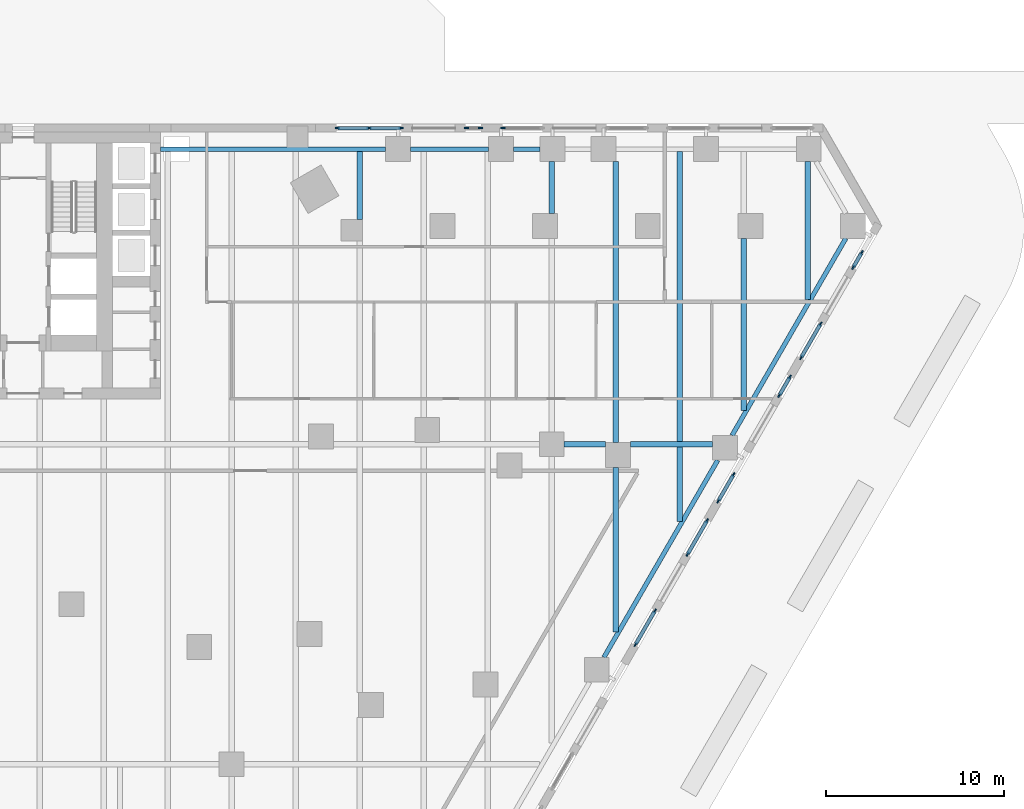
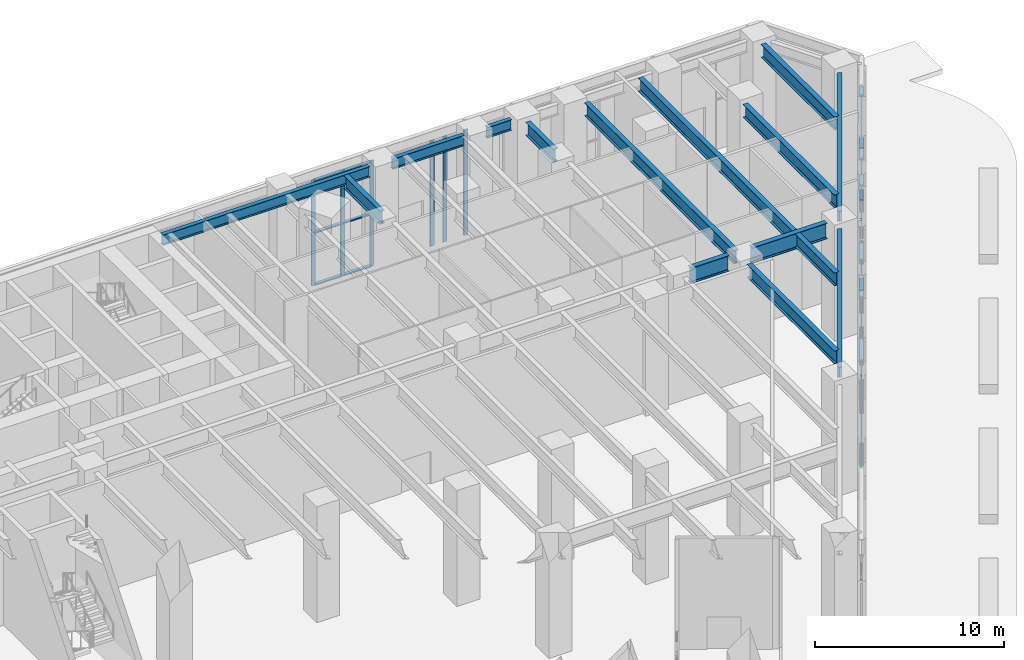
# One storey, part 15 of 37: 42 members, 15 beams, 9 elements without a shape of their own.
"""IFC4 building model written with IfcOpenShell, lengths in metres."""

import ifcopenshell
import ifcopenshell.guid

model = None  # the IFC model being written
_history = None  # IfcOwnerHistory: only IFC2X3 demands one
_inside = {}  # id of a spatial element -> (the spatial element, [elements in it])
_under = {}  # id of a project, library or spatial element -> (it, [spatial elements below it])
_declared = {}  # id of a project -> (the project, [libraries it declares])
_typed = {}  # id of a type object -> (the type object, [elements of that type])
_made_of = {}  # id of a material, layer set ... -> (it, [elements and type objects made of it])


def new_model(schema):
    """Start an empty IFC model of exactly this schema.

    Asked for "IFC4X3", IfcOpenShell would pick the latest addendum, in which some entities
    have other attributes; the version numbers below select the first issue.
    IFC2X3 requires an IfcOwnerHistory on every rooted entity: one is made here for all.
    """
    global model, _history
    if schema == "IFC4X3":
        model = ifcopenshell.file(schema_version=(4, 3, 0, 0))
    else:
        model = ifcopenshell.file(schema=schema)
    _inside.clear()
    _under.clear()
    _declared.clear()
    _typed.clear()
    _made_of.clear()
    _history = None
    if model.schema == "IFC2X3":
        org = make("IfcOrganization", Name="unknown")
        user = make(
            "IfcPersonAndOrganization",
            ThePerson=make("IfcPerson", FamilyName="unknown"),
            TheOrganization=org,
        )
        app = make(
            "IfcApplication",
            ApplicationDeveloper=org,
            Version="unknown",
            ApplicationFullName="unknown",
            ApplicationIdentifier="unknown",
        )
        _history = make(
            "IfcOwnerHistory",
            OwningUser=user,
            OwningApplication=app,
            ChangeAction="ADDED",
            CreationDate=0,
        )
    return model


def make(cls, **values):
    """One entity of the class cls with the attributes given. An attribute that is None is left unset."""
    return model.create_entity(
        cls, **{name: value for name, value in values.items() if value is not None}
    )


def rooted(cls, **values):
    """An entity with a GlobalId (a new one), such as an element, a storey or a relation."""
    return make(cls, GlobalId=ifcopenshell.guid.new(), OwnerHistory=_history, **values)


def si_unit(unit_type, name, prefix=None):
    """IfcSIUnit, for example si_unit("LENGTHUNIT", "METRE", prefix="MILLI")."""
    return make("IfcSIUnit", UnitType=unit_type, Prefix=prefix, Name=name)


def assignment(units):
    """IfcUnitAssignment: the units of a project."""
    return None if units is None else make("IfcUnitAssignment", Units=units)


def point(xyz):
    """IfcCartesianPoint."""
    return None if xyz is None else make("IfcCartesianPoint", Coordinates=xyz)


def direction(xyz):
    """IfcDirection."""
    return None if xyz is None else make("IfcDirection", DirectionRatios=xyz)


def frame(location, z_axis=None, x_axis=None):
    """IfcAxis2Placement3D, a coordinate frame: its origin and axes. An axis left out is left unset."""
    return make(
        "IfcAxis2Placement3D",
        Location=point(location),
        Axis=direction(z_axis),
        RefDirection=direction(x_axis),
    )


def frame_2d(location, x_axis=None):
    """IfcAxis2Placement2D, a coordinate frame in the plane: its origin and x axis."""
    return make(
        "IfcAxis2Placement2D", Location=point(location), RefDirection=direction(x_axis)
    )


def origin():
    """The frame at (0, 0, 0) with its axes left unset."""
    return frame((0.0, 0.0, 0.0))


def origin_2d():
    """The frame at (0, 0) in the plane with its x axis left unset."""
    return frame_2d((0.0, 0.0))


def place(relative_to, where):
    """IfcLocalPlacement: puts the frame where relative to a parent placement (None: the world)."""
    return make(
        "IfcLocalPlacement", PlacementRelTo=relative_to, RelativePlacement=where
    )


def context(
    kind, dimensions, precision=None, world=None, true_north=None, identifier=None
):
    """IfcGeometricRepresentationContext, for example the 3D "Model" context."""
    return make(
        "IfcGeometricRepresentationContext",
        ContextIdentifier=identifier,
        ContextType=kind,
        CoordinateSpaceDimension=dimensions,
        Precision=precision,
        WorldCoordinateSystem=world,
        TrueNorth=true_north,
    )


def subcontext(parent, identifier, kind, view, scale=None):
    """IfcGeometricRepresentationSubContext, for example "Body" below "Model"."""
    return make(
        "IfcGeometricRepresentationSubContext",
        ContextIdentifier=identifier,
        ContextType=kind,
        ParentContext=parent,
        TargetScale=scale,
        TargetView=view,
    )


def project(units=None, contexts=None):
    """IfcProject with its units and contexts."""
    return rooted(
        "IfcProject",
        Name="project",
        RepresentationContexts=contexts,
        UnitsInContext=assignment(units),
    )


def spatial(cls, under=None, at=None, **own):
    """A site, building, storey or space (cls), placed at a placement, below another one or the project."""
    s = rooted(cls, ObjectPlacement=at, **own)
    if under is not None:
        _under.setdefault(under.id(), (under, []))[1].append(s)
    return s


def profile(cls, at=None, kind="AREA", **sizes):
    """A parametric profile (cls). Its sizes go by their IFC names, for example OverallWidth=200.0."""
    return make(cls, ProfileType=kind, Position=at, **sizes)


def rectangle(**sizes):
    """IfcRectangleProfileDef."""
    return profile("IfcRectangleProfileDef", **sizes)


def i_section(**sizes):
    """IfcIShapeProfileDef."""
    return profile("IfcIShapeProfileDef", **sizes)


def extrude(swept, where, along, depth):
    """IfcExtrudedAreaSolid: the profile swept, set in the frame where, extruded along a direction by depth."""
    return make(
        "IfcExtrudedAreaSolid",
        SweptArea=swept,
        Position=where,
        ExtrudedDirection=direction(along),
        Depth=depth,
    )


def shape(context_of_items, identifier, shape_type, items):
    """IfcShapeRepresentation: the items that make up one representation, for example the "Body"."""
    return make(
        "IfcShapeRepresentation",
        ContextOfItems=context_of_items,
        RepresentationIdentifier=identifier,
        RepresentationType=shape_type,
        Items=items,
    )


def material(Name=None, Category=None):
    """IfcMaterial."""
    return make("IfcMaterial", Name=Name, Category=Category)


def material_profile(
    of_material, cross_section, Name=None, Category=None, Priority=None
):
    """IfcMaterialProfile: a cross section and its material."""
    return make(
        "IfcMaterialProfile",
        Name=Name,
        Material=of_material,
        Profile=cross_section,
        Priority=Priority,
        Category=Category,
    )


def profile_set(profiles, Name=None, composite=None):
    """IfcMaterialProfileSet."""
    return make(
        "IfcMaterialProfileSet",
        Name=Name,
        MaterialProfiles=profiles,
        CompositeProfile=composite,
    )


def made_of(thing, what):
    """Note that an element or type object is made of a material, layer set ...; save() writes the relation."""
    if what is not None:
        _made_of.setdefault(what.id(), (what, []))[1].append(thing)
    return thing


def type_object(cls, material=None, **own):
    """A type object (cls), such as IfcWallType, which elements share."""
    return made_of(rooted(cls, **own), material)


def element(
    cls,
    number,
    at=None,
    inside=None,
    cuts=None,
    type_object=None,
    material=None,
    context=None,
    identifier="Body",
    shape_type=None,
    held_by="IfcProductDefinitionShape",
    body=None,
    shapes=None,
    **own,
):
    """One element of the class cls, such as IfcWall. Its Tag is "e" and its number.

    at: its placement. inside: the storey or other place that contains it. cuts: it is an
    opening in that element (IfcRelVoidsElement). A single representation is given by context,
    identifier, shape_type and body (its items); several are given by shapes. held_by: the class
    of the entity that holds the representations. save() writes the other relations.
    """
    e = rooted(cls, Tag="e%d" % number, ObjectPlacement=at, **own)
    if body is not None:
        shapes = [shape(context, identifier, shape_type, body)]
    if shapes is not None:
        e.Representation = make(held_by, Representations=shapes)
    if inside is not None:
        _inside.setdefault(inside.id(), (inside, []))[1].append(e)
    if cuts is not None:
        rooted(
            "IfcRelVoidsElement", RelatingBuildingElement=cuts, RelatedOpeningElement=e
        )
    if type_object is not None:
        _typed.setdefault(type_object.id(), (type_object, []))[1].append(e)
    return made_of(e, material)


def aggregate(whole, parts):
    """IfcRelAggregates: a whole, such as a stair, and the parts it consists of."""
    return rooted("IfcRelAggregates", RelatingObject=whole, RelatedObjects=parts)


def save(model, path):
    """Write the relations noted so far, then the file.

    IfcRelAggregates (storeys below a building ...), IfcRelContainedInSpatialStructure (elements
    in a storey), IfcRelDefinesByType, IfcRelAssociatesMaterial and IfcRelDeclares: one each for
    every whole, place, type object, material and project.
    """
    for whole, parts in _under.values():
        aggregate(whole, parts)
    for where, things in _inside.values():
        rooted(
            "IfcRelContainedInSpatialStructure",
            RelatedElements=things,
            RelatingStructure=where,
        )
    for kind, things in _typed.values():
        rooted("IfcRelDefinesByType", RelatedObjects=things, RelatingType=kind)
    for what, things in _made_of.values():
        rooted("IfcRelAssociatesMaterial", RelatedObjects=things, RelatingMaterial=what)
    for by, libraries in _declared.values():
        rooted("IfcRelDeclares", RelatingContext=by, RelatedDefinitions=libraries)
    model.write(path)


model = new_model("IFC4")

# Units and contexts
model_context = context("Model", 3, precision=1e-05, world=origin(), true_north=direction((0.0, 1.0)))
body_context = subcontext(model_context, "Body", "Model", "MODEL_VIEW")
ifc_project = project(units=[si_unit("LENGTHUNIT", "METRE"), si_unit("AREAUNIT", "SQUARE_METRE"), si_unit("VOLUMEUNIT", "CUBIC_METRE"), si_unit("PLANEANGLEUNIT", "RADIAN"), si_unit("MASSUNIT", "GRAM", prefix="KILO")], contexts=[model_context])

# Site, building, storey
site_placement = place(None, origin())
site = spatial("IfcSite", under=ifc_project, at=site_placement, CompositionType="ELEMENT")
building_placement = place(site_placement, origin())
building = spatial("IfcBuilding", under=site, at=building_placement, Name="Aloe Facet Convention Tower", CompositionType="ELEMENT")
storey_placement = place(building_placement, origin())
storey = spatial("IfcBuildingStorey", under=building, at=storey_placement, Name="L00", CompositionType="ELEMENT", Elevation=0.0)

# Curtain wall, member
ifc_material_1 = material(Name="Aluminium, anodised", Category="aluminium")
curtain_wall_type = type_object("IfcCurtainWallType", Name="EV-CW-PORTAL", PredefinedType="USERDEFINED", material=ifc_material_1)
curtain_wall_1_placement = place(storey_placement, origin())
curtain_wall_1 = element("IfcCurtainWall", 1, at=curtain_wall_1_placement, inside=storey, type_object=curtain_wall_type, Name="CW-L00-N04B", ObjectType="ENTRANCE PORTAL GLAZING", PredefinedType="USERDEFINED")
ifc_material_2 = material(Name="Aluminium, anodised", Category="aluminium")
ifc_material_profile_1 = material_profile(ifc_material_2, rectangle(XDim=0.080078125, YDim=0.25, at=origin_2d()), Name="AL 80x250")
ifc_profile_set_1 = profile_set([ifc_material_profile_1], Name="Aluminium, anodised")
member_type_1 = type_object("IfcMemberType", Name="EV-MULL-PORTAL", PredefinedType="MULLION", material=ifc_profile_set_1)
member_1_placement = place(storey_placement, frame((113.264892578125, 134.77490234375, -0.300048828125), z_axis=(0.0, 0.0, 1.0), x_axis=(0.0, -1.0, 0.0)))
member_1 = element("IfcMember", 2, at=member_1_placement, type_object=member_type_1, Name="CW-L00-N04B mullion 2", PredefinedType="MULLION", context=body_context, shape_type="SweptSolid", body=[
    extrude(rectangle(XDim=0.080078125, YDim=0.25, at=origin_2d()), origin(), (0.0, 0.0, 1.0), 6.8125),
])
aggregate(curtain_wall_1, [member_1])

# Curtain wall, members
curtain_wall_2_placement = place(storey_placement, origin())
curtain_wall_2 = element("IfcCurtainWall", 3, at=curtain_wall_2_placement, inside=storey, type_object=curtain_wall_type, Name="CW-L00-N06A", ObjectType="ENTRANCE PORTAL GLAZING", PredefinedType="USERDEFINED")
member_2_placement = place(storey_placement, frame((111.98486328125, 134.77490234375, -0.300048828125), z_axis=(0.0, 0.0, 1.0), x_axis=(0.0, -1.0, 0.0)))
member_2 = element("IfcMember", 4, at=member_2_placement, type_object=member_type_1, Name="CW-L00-N06A mullion 1", PredefinedType="MULLION", context=body_context, shape_type="SweptSolid", body=[
    extrude(rectangle(XDim=0.080078125, YDim=0.25, at=origin_2d()), origin(), (0.0, 0.0, 1.0), 6.8125),
])
member_3_placement = place(storey_placement, frame((111.2041015625, 134.77490234375, -0.300048828125), z_axis=(0.0, 0.0, 1.0), x_axis=(0.0, -1.0, 0.0)))
member_3 = element("IfcMember", 5, at=member_3_placement, type_object=member_type_1, Name="CW-L00-N06A mullion 2", PredefinedType="MULLION", context=body_context, shape_type="SweptSolid", body=[
    extrude(rectangle(XDim=0.080078125, YDim=0.25, at=origin_2d()), origin(), (0.0, 0.0, 1.0), 6.8125),
])
aggregate(curtain_wall_2, [member_2, member_3])

curtain_wall_3_placement = place(storey_placement, origin())
curtain_wall_3 = element("IfcCurtainWall", 6, at=curtain_wall_3_placement, inside=storey, type_object=curtain_wall_type, Name="CW-L00-N06B", ObjectType="ENTRANCE PORTAL GLAZING", PredefinedType="USERDEFINED")
member_4_placement = place(storey_placement, frame((107.524169921875, 134.77490234375, -0.300048828125), z_axis=(0.0, 0.0, 1.0), x_axis=(0.0, -1.0, 0.0)))
member_4 = element("IfcMember", 7, at=member_4_placement, type_object=member_type_1, Name="CW-L00-N06B mullion 1", PredefinedType="MULLION", context=body_context, shape_type="SweptSolid", body=[
    extrude(rectangle(XDim=0.080078125, YDim=0.25, at=origin_2d()), origin(), (0.0, 0.0, 1.0), 6.8125),
])
member_5_placement = place(storey_placement, frame((105.733642578125, 134.77490234375, -0.300048828125), z_axis=(0.0, 0.0, 1.0), x_axis=(0.0, -1.0, 0.0)))
member_5 = element("IfcMember", 8, at=member_5_placement, type_object=member_type_1, Name="CW-L00-N06B mullion 2", PredefinedType="MULLION", context=body_context, shape_type="SweptSolid", body=[
    extrude(rectangle(XDim=0.080078125, YDim=0.25, at=origin_2d()), origin(), (0.0, 0.0, 1.0), 6.8125),
])
member_6_placement = place(storey_placement, frame((103.943359375, 134.77490234375, -0.300048828125), z_axis=(0.0, 0.0, 1.0), x_axis=(0.0, -1.0, 0.0)))
member_6 = element("IfcMember", 9, at=member_6_placement, type_object=member_type_1, Name="CW-L00-N06B mullion 3", PredefinedType="MULLION", context=body_context, shape_type="SweptSolid", body=[
    extrude(rectangle(XDim=0.080078125, YDim=0.25, at=origin_2d()), origin(), (0.0, 0.0, 1.0), 6.8125),
])

curtain_wall_4_placement = place(storey_placement, origin())
curtain_wall_4 = element("IfcCurtainWall", 10, at=curtain_wall_4_placement, inside=storey, type_object=curtain_wall_type, Name="CW-L00-E18A", ObjectType="ENTRANCE PORTAL GLAZING", PredefinedType="USERDEFINED")
member_7_placement = place(storey_placement, frame((120.710693359375, 105.7333984375, -0.300048828125), z_axis=(0.0, 0.0, 1.0), x_axis=(-0.86602540375, 0.50000000006, 0.0)))
member_7 = element("IfcMember", 11, at=member_7_placement, type_object=member_type_1, Name="CW-L00-E18A mullion 1", PredefinedType="MULLION", context=body_context, shape_type="SweptSolid", body=[
    extrude(rectangle(XDim=0.080078125, YDim=0.25, at=origin_2d()), origin(), (0.0, 0.0, 1.0), 6.8125),
])
member_8_placement = place(storey_placement, frame((121.801025390625, 107.621826171875, -0.300048828125), z_axis=(0.0, 0.0, 1.0), x_axis=(-0.86602540375, 0.50000000006, 0.0)))
member_8 = element("IfcMember", 12, at=member_8_placement, type_object=member_type_1, Name="CW-L00-E18A mullion 2", PredefinedType="MULLION", context=body_context, shape_type="SweptSolid", body=[
    extrude(rectangle(XDim=0.080078125, YDim=0.25, at=origin_2d()), origin(), (0.0, 0.0, 1.0), 6.8125),
])

curtain_wall_5_placement = place(storey_placement, origin())
curtain_wall_5 = element("IfcCurtainWall", 13, at=curtain_wall_5_placement, inside=storey, type_object=curtain_wall_type, Name="CW-L00-E18B", ObjectType="ENTRANCE PORTAL GLAZING", PredefinedType="USERDEFINED")
member_9_placement = place(storey_placement, frame((123.640869140625, 110.808837890625, -0.300048828125), z_axis=(0.0, 0.0, 1.0), x_axis=(-0.86602540375, 0.50000000006, 0.0)))
member_9 = element("IfcMember", 14, at=member_9_placement, type_object=member_type_1, Name="CW-L00-E18B mullion 1", PredefinedType="MULLION", context=body_context, shape_type="SweptSolid", body=[
    extrude(rectangle(XDim=0.080078125, YDim=0.25, at=origin_2d()), origin(), (0.0, 0.0, 1.0), 6.8125),
])
member_10_placement = place(storey_placement, frame((124.731201171875, 112.697509765625, -0.300048828125), z_axis=(0.0, 0.0, 1.0), x_axis=(-0.86602540375, 0.50000000006, 0.0)))
member_10 = element("IfcMember", 15, at=member_10_placement, type_object=member_type_1, Name="CW-L00-E18B mullion 2", PredefinedType="MULLION", context=body_context, shape_type="SweptSolid", body=[
    extrude(rectangle(XDim=0.080078125, YDim=0.25, at=origin_2d()), origin(), (0.0, 0.0, 1.0), 6.8125),
])

curtain_wall_6_placement = place(storey_placement, origin())
curtain_wall_6 = element("IfcCurtainWall", 16, at=curtain_wall_6_placement, inside=storey, type_object=curtain_wall_type, Name="CW-L00-E20A", ObjectType="ENTRANCE PORTAL GLAZING", PredefinedType="USERDEFINED")
member_11_placement = place(storey_placement, frame((125.371337890625, 113.805908203125, -0.300048828125), z_axis=(0.0, 0.0, 1.0), x_axis=(-0.866025403811, 0.499999999955, 0.0)))
member_11 = element("IfcMember", 17, at=member_11_placement, type_object=member_type_1, Name="CW-L00-E20A mullion 1", PredefinedType="MULLION", context=body_context, shape_type="SweptSolid", body=[
    extrude(rectangle(XDim=0.080078125, YDim=0.25, at=origin_2d()), origin(), (0.0, 0.0, 1.0), 6.8125),
])
member_12_placement = place(storey_placement, frame((126.227783203125, 115.289306640625, -0.300048828125), z_axis=(0.0, 0.0, 1.0), x_axis=(-0.866025403811, 0.499999999955, 0.0)))
member_12 = element("IfcMember", 18, at=member_12_placement, type_object=member_type_1, Name="CW-L00-E20A mullion 2", PredefinedType="MULLION", context=body_context, shape_type="SweptSolid", body=[
    extrude(rectangle(XDim=0.080078125, YDim=0.25, at=origin_2d()), origin(), (0.0, 0.0, 1.0), 6.8125),
])

curtain_wall_7_placement = place(storey_placement, origin())
curtain_wall_7 = element("IfcCurtainWall", 19, at=curtain_wall_7_placement, inside=storey, type_object=curtain_wall_type, Name="CW-L00-E20B", ObjectType="ENTRANCE PORTAL GLAZING", PredefinedType="USERDEFINED")
member_13_placement = place(storey_placement, frame((128.801513671875, 119.747314453125, -0.300048828125), z_axis=(0.0, 0.0, 1.0), x_axis=(-0.866025403688, 0.500000000166, 0.0)))
member_13 = element("IfcMember", 20, at=member_13_placement, type_object=member_type_1, Name="CW-L00-E20B mullion 1", PredefinedType="MULLION", context=body_context, shape_type="SweptSolid", body=[
    extrude(rectangle(XDim=0.080078125, YDim=0.25, at=origin_2d()), origin(), (0.0, 0.0, 1.0), 6.8125),
])
member_14_placement = place(storey_placement, frame((129.39208984375, 120.77001953125, -0.300048828125), z_axis=(0.0, 0.0, 1.0), x_axis=(-0.866025403688, 0.500000000166, 0.0)))
member_14 = element("IfcMember", 21, at=member_14_placement, type_object=member_type_1, Name="CW-L00-E20B mullion 2", PredefinedType="MULLION", context=body_context, shape_type="SweptSolid", body=[
    extrude(rectangle(XDim=0.080078125, YDim=0.25, at=origin_2d()), origin(), (0.0, 0.0, 1.0), 6.8125),
])

curtain_wall_8_placement = place(storey_placement, origin())
curtain_wall_8 = element("IfcCurtainWall", 22, at=curtain_wall_8_placement, inside=storey, type_object=curtain_wall_type, Name="CW-L00-E22A", ObjectType="ENTRANCE PORTAL GLAZING", PredefinedType="USERDEFINED")
member_15_placement = place(storey_placement, frame((130.031982421875, 121.87841796875, -0.300048828125), z_axis=(0.0, 0.0, 1.0), x_axis=(-0.86602540375, 0.50000000006, 0.0)))
member_15 = element("IfcMember", 23, at=member_15_placement, type_object=member_type_1, Name="CW-L00-E22A mullion 1", PredefinedType="MULLION", context=body_context, shape_type="SweptSolid", body=[
    extrude(rectangle(XDim=0.080078125, YDim=0.25, at=origin_2d()), origin(), (0.0, 0.0, 1.0), 6.8125),
])
member_16_placement = place(storey_placement, frame((131.122314453125, 123.76708984375, -0.300048828125), z_axis=(0.0, 0.0, 1.0), x_axis=(-0.86602540375, 0.50000000006, 0.0)))
member_16 = element("IfcMember", 24, at=member_16_placement, type_object=member_type_1, Name="CW-L00-E22A mullion 2", PredefinedType="MULLION", context=body_context, shape_type="SweptSolid", body=[
    extrude(rectangle(XDim=0.080078125, YDim=0.25, at=origin_2d()), origin(), (0.0, 0.0, 1.0), 6.8125),
])

curtain_wall_9_placement = place(storey_placement, origin())
curtain_wall_9 = element("IfcCurtainWall", 25, at=curtain_wall_9_placement, inside=storey, type_object=curtain_wall_type, Name="CW-L00-E22B", ObjectType="ENTRANCE PORTAL GLAZING", PredefinedType="USERDEFINED")
member_17_placement = place(storey_placement, frame((132.96240234375, 126.953857421875, -0.300048828125), z_axis=(0.0, 0.0, 1.0), x_axis=(-0.866025404046, 0.499999999547, 0.0)))
member_17 = element("IfcMember", 26, at=member_17_placement, type_object=member_type_1, Name="CW-L00-E22B mullion 1", PredefinedType="MULLION", context=body_context, shape_type="SweptSolid", body=[
    extrude(rectangle(XDim=0.080078125, YDim=0.25, at=origin_2d()), origin(), (0.0, 0.0, 1.0), 6.8125),
])
member_18_placement = place(storey_placement, frame((133.436279296875, 127.774658203125, -0.300048828125), z_axis=(0.0, 0.0, 1.0), x_axis=(-0.866025404046, 0.499999999547, 0.0)))
member_18 = element("IfcMember", 27, at=member_18_placement, type_object=member_type_1, Name="CW-L00-E22B mullion 2", PredefinedType="MULLION", context=body_context, shape_type="SweptSolid", body=[
    extrude(rectangle(XDim=0.080078125, YDim=0.25, at=origin_2d()), origin(), (0.0, 0.0, 1.0), 6.8125),
])

# Member
ifc_material_3 = material(Name="Aluminium, anodised", Category="aluminium")
ifc_material_profile_2 = material_profile(ifc_material_3, rectangle(XDim=0.199951171875, YDim=0.080078125, at=origin_2d()), Name="AL 200x80")
ifc_profile_set_2 = profile_set([ifc_material_profile_2], Name="Aluminium, anodised")
member_type_2 = type_object("IfcMemberType", Name="EV-TRAN-PORTAL", PredefinedType="USERDEFINED", material=ifc_profile_set_2)
member_19_placement = place(storey_placement, frame((107.484130859375, 134.77490234375, -0.260009765625), z_axis=(-1.0, 0.0, 0.0), x_axis=(0.0, -1.0, 0.0)))
member_19 = element("IfcMember", 28, at=member_19_placement, type_object=member_type_2, Name="CW-L00-N06B transom 1.1", ObjectType="TRANSOM", PredefinedType="USERDEFINED", context=body_context, shape_type="SweptSolid", body=[
    extrude(rectangle(XDim=0.199951171875, YDim=0.080078125, at=origin_2d()), origin(), (0.0, 0.0, 1.0), 1.71044921875),
])

member_20_placement = place(storey_placement, frame((107.484130859375, 134.77490234375, 3.106201171875), z_axis=(-1.0, 0.0, 0.0), x_axis=(0.0, -1.0, 0.0)))
member_20 = element("IfcMember", 29, at=member_20_placement, type_object=member_type_2, Name="CW-L00-N06B transom 1.2", ObjectType="TRANSOM", PredefinedType="USERDEFINED", context=body_context, shape_type="SweptSolid", body=[
    extrude(rectangle(XDim=0.199951171875, YDim=0.080078125, at=origin_2d()), origin(), (0.0, 0.0, 1.0), 1.71044921875),
])

member_21_placement = place(storey_placement, frame((107.484130859375, 134.77490234375, 6.472412109375), z_axis=(-1.0, 0.0, 0.0), x_axis=(0.0, -1.0, 0.0)))
member_21 = element("IfcMember", 30, at=member_21_placement, type_object=member_type_2, Name="CW-L00-N06B transom 1.3", ObjectType="TRANSOM", PredefinedType="USERDEFINED", context=body_context, shape_type="SweptSolid", body=[
    extrude(rectangle(XDim=0.199951171875, YDim=0.080078125, at=origin_2d()), origin(), (0.0, 0.0, 1.0), 1.71044921875),
])

member_22_placement = place(storey_placement, frame((105.69384765625, 134.77490234375, -0.260009765625), z_axis=(-1.0, 0.0, 0.0), x_axis=(0.0, -1.0, 0.0)))
member_22 = element("IfcMember", 31, at=member_22_placement, type_object=member_type_2, Name="CW-L00-N06B transom 2.1", ObjectType="TRANSOM", PredefinedType="USERDEFINED", context=body_context, shape_type="SweptSolid", body=[
    extrude(rectangle(XDim=0.199951171875, YDim=0.080078125, at=origin_2d()), origin(), (0.0, 0.0, 1.0), 1.71044921875),
])

member_23_placement = place(storey_placement, frame((105.69384765625, 134.77490234375, 3.106201171875), z_axis=(-1.0, 0.0, 0.0), x_axis=(0.0, -1.0, 0.0)))
member_23 = element("IfcMember", 32, at=member_23_placement, type_object=member_type_2, Name="CW-L00-N06B transom 2.2", ObjectType="TRANSOM", PredefinedType="USERDEFINED", context=body_context, shape_type="SweptSolid", body=[
    extrude(rectangle(XDim=0.199951171875, YDim=0.080078125, at=origin_2d()), origin(), (0.0, 0.0, 1.0), 1.71044921875),
])

member_24_placement = place(storey_placement, frame((105.69384765625, 134.77490234375, 6.472412109375), z_axis=(-1.0, 0.0, 0.0), x_axis=(0.0, -1.0, 0.0)))
member_24 = element("IfcMember", 33, at=member_24_placement, type_object=member_type_2, Name="CW-L00-N06B transom 2.3", ObjectType="TRANSOM", PredefinedType="USERDEFINED", context=body_context, shape_type="SweptSolid", body=[
    extrude(rectangle(XDim=0.199951171875, YDim=0.080078125, at=origin_2d()), origin(), (0.0, 0.0, 1.0), 1.71044921875),
])

aggregate(curtain_wall_3, [member_4, member_5, member_6, member_19, member_20, member_21, member_22, member_23, member_24])

member_25_placement = place(storey_placement, frame((120.730712890625, 105.76806640625, -0.260009765625), z_axis=(0.50001422142, 0.866017192888, 0.0), x_axis=(-0.866017192888, 0.50001422142, 0.0)))
member_25 = element("IfcMember", 34, at=member_25_placement, type_object=member_type_2, Name="CW-L00-E18A transom 1.1", ObjectType="TRANSOM", PredefinedType="USERDEFINED", context=body_context, shape_type="SweptSolid", body=[
    extrude(rectangle(XDim=0.199951171875, YDim=0.080078125, at=origin_2d()), origin(), (0.0, 0.0, 1.0), 2.1005859375),
])

member_26_placement = place(storey_placement, frame((120.730712890625, 105.76806640625, 3.106201171875), z_axis=(0.50001422142, 0.866017192888, 0.0), x_axis=(-0.866017192888, 0.50001422142, 0.0)))
member_26 = element("IfcMember", 35, at=member_26_placement, type_object=member_type_2, Name="CW-L00-E18A transom 1.2", ObjectType="TRANSOM", PredefinedType="USERDEFINED", context=body_context, shape_type="SweptSolid", body=[
    extrude(rectangle(XDim=0.199951171875, YDim=0.080078125, at=origin_2d()), origin(), (0.0, 0.0, 1.0), 2.1005859375),
])

member_27_placement = place(storey_placement, frame((120.730712890625, 105.76806640625, 6.472412109375), z_axis=(0.50001422142, 0.866017192888, 0.0), x_axis=(-0.866017192888, 0.50001422142, 0.0)))
member_27 = element("IfcMember", 36, at=member_27_placement, type_object=member_type_2, Name="CW-L00-E18A transom 1.3", ObjectType="TRANSOM", PredefinedType="USERDEFINED", context=body_context, shape_type="SweptSolid", body=[
    extrude(rectangle(XDim=0.199951171875, YDim=0.080078125, at=origin_2d()), origin(), (0.0, 0.0, 1.0), 2.1005859375),
])

aggregate(curtain_wall_4, [member_7, member_8, member_25, member_26, member_27])

member_28_placement = place(storey_placement, frame((123.660888671875, 110.843505859375, -0.260009765625), z_axis=(0.49996389635, 0.866046247233, 0.0), x_axis=(-0.866046247233, 0.49996389635, 0.0)))
member_28 = element("IfcMember", 37, at=member_28_placement, type_object=member_type_2, Name="CW-L00-E18B transom 1.1", ObjectType="TRANSOM", PredefinedType="USERDEFINED", context=body_context, shape_type="SweptSolid", body=[
    extrude(rectangle(XDim=0.199951171875, YDim=0.080078125, at=origin_2d()), origin(), (0.0, 0.0, 1.0), 2.100830078125),
])

member_29_placement = place(storey_placement, frame((123.660888671875, 110.843505859375, 3.106201171875), z_axis=(0.49996389635, 0.866046247233, 0.0), x_axis=(-0.866046247233, 0.49996389635, 0.0)))
member_29 = element("IfcMember", 38, at=member_29_placement, type_object=member_type_2, Name="CW-L00-E18B transom 1.2", ObjectType="TRANSOM", PredefinedType="USERDEFINED", context=body_context, shape_type="SweptSolid", body=[
    extrude(rectangle(XDim=0.199951171875, YDim=0.080078125, at=origin_2d()), origin(), (0.0, 0.0, 1.0), 2.100830078125),
])

member_30_placement = place(storey_placement, frame((123.660888671875, 110.843505859375, 6.472412109375), z_axis=(0.49996389635, 0.866046247233, 0.0), x_axis=(-0.866046247233, 0.49996389635, 0.0)))
member_30 = element("IfcMember", 39, at=member_30_placement, type_object=member_type_2, Name="CW-L00-E18B transom 1.3", ObjectType="TRANSOM", PredefinedType="USERDEFINED", context=body_context, shape_type="SweptSolid", body=[
    extrude(rectangle(XDim=0.199951171875, YDim=0.080078125, at=origin_2d()), origin(), (0.0, 0.0, 1.0), 2.100830078125),
])

aggregate(curtain_wall_5, [member_9, member_10, member_28, member_29, member_30])

member_31_placement = place(storey_placement, frame((125.391357421875, 113.840576171875, -0.260009765625), z_axis=(0.499998569178, 0.866026229868, 0.0), x_axis=(-0.866026229868, 0.499998569178, 0.0)))
member_31 = element("IfcMember", 40, at=member_31_placement, type_object=member_type_2, Name="CW-L00-E20A transom 1.1", ObjectType="TRANSOM", PredefinedType="USERDEFINED", context=body_context, shape_type="SweptSolid", body=[
    extrude(rectangle(XDim=0.199951171875, YDim=0.080078125, at=origin_2d()), origin(), (0.0, 0.0, 1.0), 1.6328125),
])

member_32_placement = place(storey_placement, frame((125.391357421875, 113.840576171875, 3.106201171875), z_axis=(0.499998569178, 0.866026229868, 0.0), x_axis=(-0.866026229868, 0.499998569178, 0.0)))
member_32 = element("IfcMember", 41, at=member_32_placement, type_object=member_type_2, Name="CW-L00-E20A transom 1.2", ObjectType="TRANSOM", PredefinedType="USERDEFINED", context=body_context, shape_type="SweptSolid", body=[
    extrude(rectangle(XDim=0.199951171875, YDim=0.080078125, at=origin_2d()), origin(), (0.0, 0.0, 1.0), 1.6328125),
])

member_33_placement = place(storey_placement, frame((125.391357421875, 113.840576171875, 6.472412109375), z_axis=(0.499998569178, 0.866026229868, 0.0), x_axis=(-0.866026229868, 0.499998569178, 0.0)))
member_33 = element("IfcMember", 42, at=member_33_placement, type_object=member_type_2, Name="CW-L00-E20A transom 1.3", ObjectType="TRANSOM", PredefinedType="USERDEFINED", context=body_context, shape_type="SweptSolid", body=[
    extrude(rectangle(XDim=0.199951171875, YDim=0.080078125, at=origin_2d()), origin(), (0.0, 0.0, 1.0), 1.6328125),
])

aggregate(curtain_wall_6, [member_11, member_12, member_31, member_32, member_33])

member_34_placement = place(storey_placement, frame((128.821533203125, 119.781982421875, -0.260009765625), z_axis=(0.500074377092, 0.865982457891, 0.0), x_axis=(-0.865982457891, 0.500074377092, 0.0)))
member_34 = element("IfcMember", 43, at=member_34_placement, type_object=member_type_2, Name="CW-L00-E20B transom 1.1", ObjectType="TRANSOM", PredefinedType="USERDEFINED", context=body_context, shape_type="SweptSolid", body=[
    extrude(rectangle(XDim=0.199951171875, YDim=0.080078125, at=origin_2d()), origin(), (0.0, 0.0, 1.0), 1.100830078125),
])

member_35_placement = place(storey_placement, frame((128.821533203125, 119.781982421875, 3.106201171875), z_axis=(0.500074377092, 0.865982457891, 0.0), x_axis=(-0.865982457891, 0.500074377092, 0.0)))
member_35 = element("IfcMember", 44, at=member_35_placement, type_object=member_type_2, Name="CW-L00-E20B transom 1.2", ObjectType="TRANSOM", PredefinedType="USERDEFINED", context=body_context, shape_type="SweptSolid", body=[
    extrude(rectangle(XDim=0.199951171875, YDim=0.080078125, at=origin_2d()), origin(), (0.0, 0.0, 1.0), 1.100830078125),
])

member_36_placement = place(storey_placement, frame((128.821533203125, 119.781982421875, 6.472412109375), z_axis=(0.500074377092, 0.865982457891, 0.0), x_axis=(-0.865982457891, 0.500074377092, 0.0)))
member_36 = element("IfcMember", 45, at=member_36_placement, type_object=member_type_2, Name="CW-L00-E20B transom 1.3", ObjectType="TRANSOM", PredefinedType="USERDEFINED", context=body_context, shape_type="SweptSolid", body=[
    extrude(rectangle(XDim=0.199951171875, YDim=0.080078125, at=origin_2d()), origin(), (0.0, 0.0, 1.0), 1.100830078125),
])

aggregate(curtain_wall_7, [member_13, member_14, member_34, member_35, member_36])

member_37_placement = place(storey_placement, frame((130.052001953125, 121.9130859375, -0.260009765625), z_axis=(0.49996389635, 0.866046247233, 0.0), x_axis=(-0.866046247233, 0.49996389635, 0.0)))
member_37 = element("IfcMember", 46, at=member_37_placement, type_object=member_type_2, Name="CW-L00-E22A transom 1.1", ObjectType="TRANSOM", PredefinedType="USERDEFINED", context=body_context, shape_type="SweptSolid", body=[
    extrude(rectangle(XDim=0.199951171875, YDim=0.080078125, at=origin_2d()), origin(), (0.0, 0.0, 1.0), 2.100830078125),
])

member_38_placement = place(storey_placement, frame((130.052001953125, 121.9130859375, 3.106201171875), z_axis=(0.49996389635, 0.866046247233, 0.0), x_axis=(-0.866046247233, 0.49996389635, 0.0)))
member_38 = element("IfcMember", 47, at=member_38_placement, type_object=member_type_2, Name="CW-L00-E22A transom 1.2", ObjectType="TRANSOM", PredefinedType="USERDEFINED", context=body_context, shape_type="SweptSolid", body=[
    extrude(rectangle(XDim=0.199951171875, YDim=0.080078125, at=origin_2d()), origin(), (0.0, 0.0, 1.0), 2.100830078125),
])

member_39_placement = place(storey_placement, frame((130.052001953125, 121.9130859375, 6.472412109375), z_axis=(0.49996389635, 0.866046247233, 0.0), x_axis=(-0.866046247233, 0.49996389635, 0.0)))
member_39 = element("IfcMember", 48, at=member_39_placement, type_object=member_type_2, Name="CW-L00-E22A transom 1.3", ObjectType="TRANSOM", PredefinedType="USERDEFINED", context=body_context, shape_type="SweptSolid", body=[
    extrude(rectangle(XDim=0.199951171875, YDim=0.080078125, at=origin_2d()), origin(), (0.0, 0.0, 1.0), 2.100830078125),
])

aggregate(curtain_wall_8, [member_15, member_16, member_37, member_38, member_39])

member_40_placement = place(storey_placement, frame((132.982421875, 126.988525390625, -0.260009765625), z_axis=(0.499982246889, 0.866035653305, 0.0), x_axis=(-0.866035653305, 0.499982246889, 0.0)))
member_40 = element("IfcMember", 49, at=member_40_placement, type_object=member_type_2, Name="CW-L00-E22B transom 1.1", ObjectType="TRANSOM", PredefinedType="USERDEFINED", context=body_context, shape_type="SweptSolid", body=[
    extrude(rectangle(XDim=0.199951171875, YDim=0.080078125, at=origin_2d()), origin(), (0.0, 0.0, 1.0), 0.86767578125),
])

member_41_placement = place(storey_placement, frame((132.982421875, 126.988525390625, 3.106201171875), z_axis=(0.499982246889, 0.866035653305, 0.0), x_axis=(-0.866035653305, 0.499982246889, 0.0)))
member_41 = element("IfcMember", 50, at=member_41_placement, type_object=member_type_2, Name="CW-L00-E22B transom 1.2", ObjectType="TRANSOM", PredefinedType="USERDEFINED", context=body_context, shape_type="SweptSolid", body=[
    extrude(rectangle(XDim=0.199951171875, YDim=0.080078125, at=origin_2d()), origin(), (0.0, 0.0, 1.0), 0.86767578125),
])

member_42_placement = place(storey_placement, frame((132.982421875, 126.988525390625, 6.472412109375), z_axis=(0.499982246889, 0.866035653305, 0.0), x_axis=(-0.866035653305, 0.499982246889, 0.0)))
member_42 = element("IfcMember", 51, at=member_42_placement, type_object=member_type_2, Name="CW-L00-E22B transom 1.3", ObjectType="TRANSOM", PredefinedType="USERDEFINED", context=body_context, shape_type="SweptSolid", body=[
    extrude(rectangle(XDim=0.199951171875, YDim=0.080078125, at=origin_2d()), origin(), (0.0, 0.0, 1.0), 0.86767578125),
])

aggregate(curtain_wall_9, [member_17, member_18, member_40, member_41, member_42])

# Beams
ifc_material_4 = material(Name="Steel S355", Category="steel")
ifc_material_profile_3 = material_profile(ifc_material_4, i_section(OverallWidth=0.305419921875, OverallDepth=1.02587890625, WebThickness=0.02001953125, FlangeThickness=0.031005859375, FilletRadius=0.030029296875, at=origin_2d()), Name="UB 1016x305x349")
ifc_profile_set_3 = profile_set([ifc_material_profile_3], Name="Steel S355")
beam_type_1 = type_object("IfcBeamType", Name="SF-B-UB1016x305x349", PredefinedType="BEAM", material=ifc_profile_set_3)
beam_1_placement = place(storey_placement, frame((116.699951171875, 117.0, 6.68701171875), z_axis=(1.0, 0.0, 0.0), x_axis=(0.0, 1.0, 0.0)))
element("IfcBeam", 52, at=beam_1_placement, inside=storey, type_object=beam_type_1, Name="Floor beam FB-L01-050", PredefinedType="BEAM", context=body_context, shape_type="SweptSolid", body=[
    extrude(i_section(OverallWidth=0.305419921875, OverallDepth=1.02587890625, WebThickness=0.02001953125, FlangeThickness=0.031005859375, FilletRadius=0.030029296875, at=origin_2d()), origin(), (0.0, 0.0, 1.0), 2.330078125),
])
beam_2_placement = place(storey_placement, frame((120.429931640625, 117.0, 6.68701171875), z_axis=(1.0, 0.0, 0.0), x_axis=(0.0, 1.0, 0.0)))
element("IfcBeam", 53, at=beam_2_placement, inside=storey, type_object=beam_type_1, Name="Floor beam FB-L01-051", PredefinedType="BEAM", context=body_context, shape_type="SweptSolid", body=[
    extrude(i_section(OverallWidth=0.305419921875, OverallDepth=1.02587890625, WebThickness=0.02001953125, FlangeThickness=0.031005859375, FilletRadius=0.030029296875, at=origin_2d()), origin(), (0.0, 0.0, 1.0), 4.612060546875),
])
ifc_material_5 = material(Name="Steel S355", Category="steel")
ifc_material_profile_4 = material_profile(ifc_material_5, i_section(OverallWidth=0.25439453125, OverallDepth=0.6875, WebThickness=0.01318359375, FlangeThickness=0.02099609375, FilletRadius=0.01513671875, at=origin_2d()), Name="UB 686x254x152")
ifc_profile_set_4 = profile_set([ifc_material_profile_4], Name="Steel S355")
beam_type_2 = type_object("IfcBeamType", Name="SF-B-UB686x254x152", PredefinedType="BEAM", material=ifc_profile_set_4)
beam_3_placement = place(storey_placement, frame((94.0, 133.60009765625, 6.856201171875), z_axis=(1.0, 0.0, 0.0), x_axis=(0.0, 1.0, 0.0)))
element("IfcBeam", 54, at=beam_3_placement, inside=storey, type_object=beam_type_2, Name="Floor beam FB-L01-017", PredefinedType="BEAM", context=body_context, shape_type="SweptSolid", body=[
    extrude(i_section(OverallWidth=0.25439453125, OverallDepth=0.6875, WebThickness=0.01318359375, FlangeThickness=0.02099609375, FilletRadius=0.01513671875, at=origin_2d()), origin(), (0.0, 0.0, 1.0), 12.6650390625),
])
beam_4_placement = place(storey_placement, frame((108.06494140625, 133.60009765625, 6.856201171875), z_axis=(1.0, 0.0, 0.0), x_axis=(0.0, 1.0, 0.0)))
element("IfcBeam", 55, at=beam_4_placement, inside=storey, type_object=beam_type_2, Name="Floor beam FB-L01-020", PredefinedType="BEAM", context=body_context, shape_type="SweptSolid", body=[
    extrude(i_section(OverallWidth=0.25439453125, OverallDepth=0.6875, WebThickness=0.01318359375, FlangeThickness=0.02099609375, FilletRadius=0.01513671875, at=origin_2d()), origin(), (0.0, 0.0, 1.0), 4.3740234375),
])
beam_5_placement = place(storey_placement, frame((113.839111328125, 133.60009765625, 6.856201171875), z_axis=(1.0, 0.0, 0.0), x_axis=(0.0, 1.0, 0.0)))
element("IfcBeam", 56, at=beam_5_placement, inside=storey, type_object=beam_type_2, Name="Floor beam FB-L01-022", PredefinedType="BEAM", context=body_context, shape_type="SweptSolid", body=[
    extrude(i_section(OverallWidth=0.25439453125, OverallDepth=0.6875, WebThickness=0.01318359375, FlangeThickness=0.02099609375, FilletRadius=0.01513671875, at=origin_2d()), origin(), (0.0, 0.0, 1.0), 1.5029296875),
])
beam_6_placement = place(storey_placement, frame((125.33837890625, 116.09912109375, 6.856201171875), z_axis=(-0.499987149722, -0.866032822769, 0.0), x_axis=(0.866032822769, -0.499987149722, 0.0)))
element("IfcBeam", 57, at=beam_6_placement, inside=storey, type_object=beam_type_2, Name="Floor beam FB-L01-026", PredefinedType="BEAM", context=body_context, shape_type="SweptSolid", body=[
    extrude(i_section(OverallWidth=0.25439453125, OverallDepth=0.6875, WebThickness=0.01318359375, FlangeThickness=0.02099609375, FilletRadius=0.01513671875, at=origin_2d()), origin(), (0.0, 0.0, 1.0), 12.801025390625),
])
beam_7_placement = place(storey_placement, frame((132.546630859375, 128.583984375, 6.856201171875), z_axis=(-0.499999833739, -0.866025499775, 0.0), x_axis=(0.866025499775, -0.499999833739, 0.0)))
element("IfcBeam", 58, at=beam_7_placement, inside=storey, type_object=beam_type_2, Name="Floor beam FB-L01-029", PredefinedType="BEAM", context=body_context, shape_type="SweptSolid", body=[
    extrude(i_section(OverallWidth=0.25439453125, OverallDepth=0.6875, WebThickness=0.01318359375, FlangeThickness=0.02099609375, FilletRadius=0.01513671875, at=origin_2d()), origin(), (0.0, 0.0, 1.0), 12.7998046875),
])
ifc_material_6 = material(Name="Steel S355", Category="steel")
ifc_material_profile_5 = material_profile(ifc_material_6, i_section(OverallWidth=0.293701171875, OverallDepth=0.850830078125, WebThickness=0.01611328125, FlangeThickness=0.02685546875, FilletRadius=0.017822265625, at=origin_2d()), Name="UB 838x292x226")
ifc_profile_set_5 = profile_set([ifc_material_profile_5], Name="Steel S355")
beam_type_3 = type_object("IfcBeamType", Name="SF-B-UB838x292x226", PredefinedType="BEAM", material=ifc_profile_set_5)
beam_8_placement = place(storey_placement, frame((105.199951171875, 129.6279296875, 6.774658203125), z_axis=(0.0, 1.0, 0.0), x_axis=(-1.0, 0.0, 0.0)))
element("IfcBeam", 59, at=beam_8_placement, inside=storey, type_object=beam_type_3, Name="Floor beam FB-L01-159", PredefinedType="BEAM", context=body_context, shape_type="SweptSolid", body=[
    extrude(i_section(OverallWidth=0.293701171875, OverallDepth=0.850830078125, WebThickness=0.01611328125, FlangeThickness=0.02685546875, FilletRadius=0.017822265625, at=origin_2d()), origin(), (0.0, 0.0, 1.0), 3.834716796875),
])
beam_9_placement = place(storey_placement, frame((116.0, 129.98388671875, 6.774658203125), z_axis=(0.0, 1.0, 0.0), x_axis=(-1.0, 0.0, 0.0)))
element("IfcBeam", 60, at=beam_9_placement, inside=storey, type_object=beam_type_3, Name="Floor beam FB-L01-169", PredefinedType="BEAM", context=body_context, shape_type="SweptSolid", body=[
    extrude(i_section(OverallWidth=0.293701171875, OverallDepth=0.850830078125, WebThickness=0.01611328125, FlangeThickness=0.02685546875, FilletRadius=0.017822265625, at=origin_2d()), origin(), (0.0, 0.0, 1.0), 2.916015625),
])
beam_10_placement = place(storey_placement, frame((119.60009765625, 106.42431640625, 6.774658203125), z_axis=(0.0, 1.0, 0.0), x_axis=(-1.0, 0.0, 0.0)))
element("IfcBeam", 61, at=beam_10_placement, inside=storey, type_object=beam_type_3, Name="Floor beam FB-L01-170", PredefinedType="BEAM", context=body_context, shape_type="SweptSolid", body=[
    extrude(i_section(OverallWidth=0.293701171875, OverallDepth=0.850830078125, WebThickness=0.01611328125, FlangeThickness=0.02685546875, FilletRadius=0.017822265625, at=origin_2d()), origin(), (0.0, 0.0, 1.0), 9.2607421875),
])
beam_11_placement = place(storey_placement, frame((119.60009765625, 117.0849609375, 6.774658203125), z_axis=(0.0, 1.0, 0.0), x_axis=(-1.0, 0.0, 0.0)))
element("IfcBeam", 62, at=beam_11_placement, inside=storey, type_object=beam_type_3, Name="Floor beam FB-L01-171", PredefinedType="BEAM", context=body_context, shape_type="SweptSolid", body=[
    extrude(i_section(OverallWidth=0.293701171875, OverallDepth=0.850830078125, WebThickness=0.01611328125, FlangeThickness=0.02685546875, FilletRadius=0.017822265625, at=origin_2d()), origin(), (0.0, 0.0, 1.0), 15.81494140625),
])
beam_12_placement = place(storey_placement, frame((123.199951171875, 112.65966796875, 6.774658203125), z_axis=(0.0, 1.0, 0.0), x_axis=(-1.0, 0.0, 0.0)))
element("IfcBeam", 63, at=beam_12_placement, inside=storey, type_object=beam_type_3, Name="Floor beam FB-L01-172", PredefinedType="BEAM", context=body_context, shape_type="SweptSolid", body=[
    extrude(i_section(OverallWidth=0.293701171875, OverallDepth=0.850830078125, WebThickness=0.01611328125, FlangeThickness=0.02685546875, FilletRadius=0.017822265625, at=origin_2d()), origin(), (0.0, 0.0, 1.0), 4.187744140625),
])
beam_13_placement = place(storey_placement, frame((123.199951171875, 117.152587890625, 6.774658203125), z_axis=(0.0, 1.0, 0.0), x_axis=(-1.0, 0.0, 0.0)))
element("IfcBeam", 64, at=beam_13_placement, inside=storey, type_object=beam_type_3, Name="Floor beam FB-L01-173", PredefinedType="BEAM", context=body_context, shape_type="SweptSolid", body=[
    extrude(i_section(OverallWidth=0.293701171875, OverallDepth=0.850830078125, WebThickness=0.01611328125, FlangeThickness=0.02685546875, FilletRadius=0.017822265625, at=origin_2d()), origin(), (0.0, 0.0, 1.0), 16.31005859375),
])
beam_14_placement = place(storey_placement, frame((126.800048828125, 118.89501953125, 6.774658203125), z_axis=(0.0, 1.0, 0.0), x_axis=(-1.0, 0.0, 0.0)))
element("IfcBeam", 65, at=beam_14_placement, inside=storey, type_object=beam_type_3, Name="Floor beam FB-L01-174", PredefinedType="BEAM", context=body_context, shape_type="SweptSolid", body=[
    extrude(i_section(OverallWidth=0.293701171875, OverallDepth=0.850830078125, WebThickness=0.01611328125, FlangeThickness=0.02685546875, FilletRadius=0.017822265625, at=origin_2d()), origin(), (0.0, 0.0, 1.0), 9.68896484375),
])
beam_15_placement = place(storey_placement, frame((130.39990234375, 125.13037109375, 6.774658203125), z_axis=(0.0, 1.0, 0.0), x_axis=(-1.0, 0.0, 0.0)))
element("IfcBeam", 66, at=beam_15_placement, inside=storey, type_object=beam_type_3, Name="Floor beam FB-L01-176", PredefinedType="BEAM", context=body_context, shape_type="SweptSolid", body=[
    extrude(i_section(OverallWidth=0.293701171875, OverallDepth=0.850830078125, WebThickness=0.01611328125, FlangeThickness=0.02685546875, FilletRadius=0.017822265625, at=origin_2d()), origin(), (0.0, 0.0, 1.0), 7.76953125),
])

save(model, "model.ifc")
